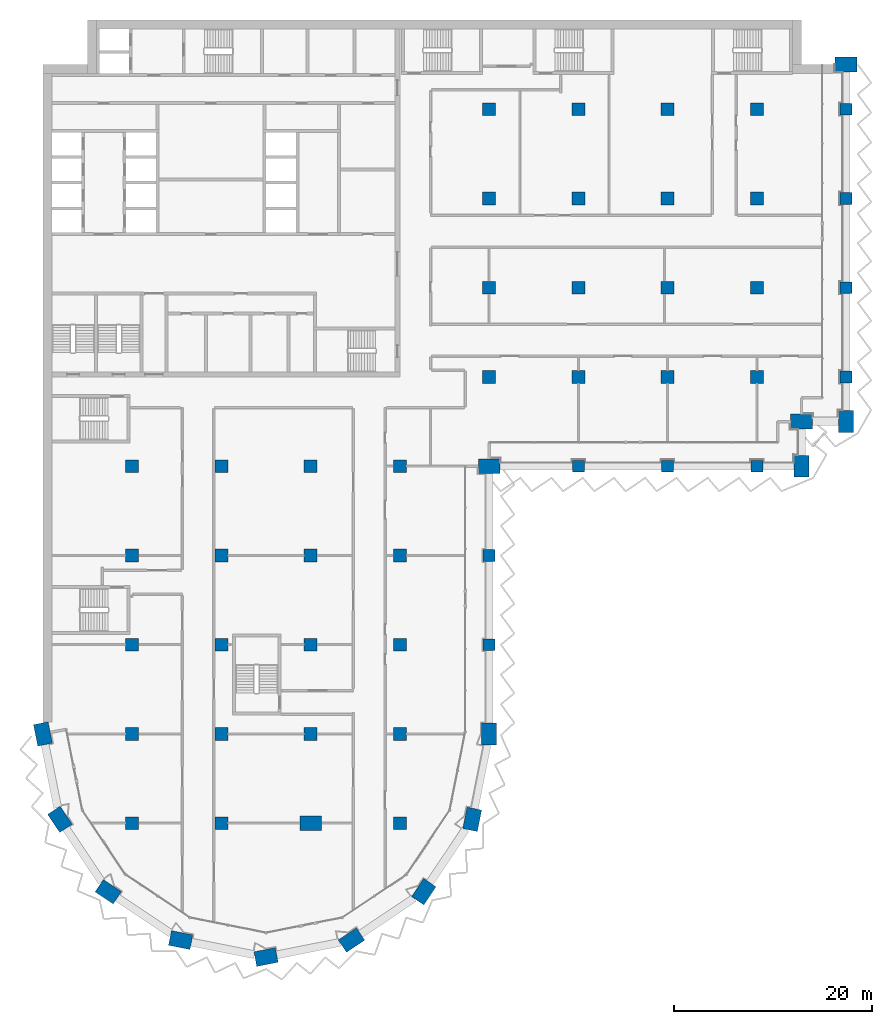
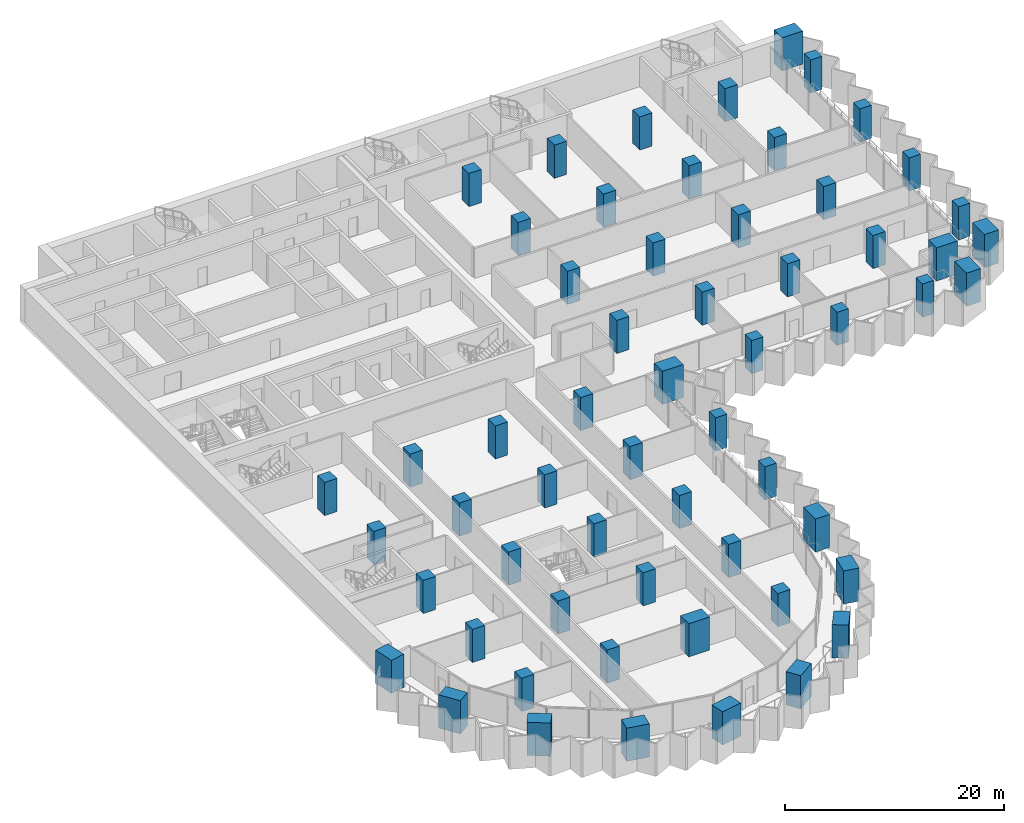
# One storey, part 1 of 23: 59 columns.
"""IFC4 building model written with IfcOpenShell, lengths in metres."""

from ifc_helpers import new_model, si_unit, direction, frame, origin, origin_2d, place, context, subcontext, project, spatial, rectangle, extrude, material, material_profile, profile_set, type_object, element, save


model = new_model("IFC4")

# Units and contexts
model_context = context("Model", 3, precision=1e-05, world=origin(), true_north=direction((0.0, 1.0)))
body_context = subcontext(model_context, "Body", "Model", "MODEL_VIEW")
ifc_project = project(units=[si_unit("LENGTHUNIT", "METRE"), si_unit("AREAUNIT", "SQUARE_METRE"), si_unit("VOLUMEUNIT", "CUBIC_METRE"), si_unit("PLANEANGLEUNIT", "RADIAN"), si_unit("MASSUNIT", "GRAM", prefix="KILO")], contexts=[model_context])

# Site, building, storey
site_placement = place(None, origin())
site = spatial("IfcSite", under=ifc_project, at=site_placement, CompositionType="ELEMENT")
building_placement = place(site_placement, origin())
building = spatial("IfcBuilding", under=site, at=building_placement, Name="Hunhe Ridgeline Campus", CompositionType="ELEMENT")
storey_placement = place(building_placement, frame((0.0, 0.0, 107.0)))
storey = spatial("IfcBuildingStorey", under=building, at=storey_placement, Name="L26", CompositionType="ELEMENT", Elevation=107.0)

# Columns
ifc_material = material(Name="Concrete C70", Category="concrete")
ifc_material_profile_1 = material_profile(ifc_material, rectangle(XDim=2.199951171875, YDim=1.5, at=origin_2d()))
ifc_profile_set_1 = profile_set([ifc_material_profile_1], Name="Concrete C70")
column_type_1 = type_object("IfcColumnType", Name="Megacolumn 2200x1500 Concrete C70", PredefinedType="COLUMN", material=ifc_profile_set_1)
for number, where, z_axis, x_axis, name in (
    (1, (22.5, 4.5, 0.0), (0.0, 0.0, 1.0), (0.980785280403, 0.195090322016, 0.0), "Column C6 R1 L26"),
    (2, (13.8896484375, 6.212646484375, 0.0), (0.0, 0.0, 1.0), (-0.980785280403, 0.195090322016, 0.0), "Column C6 R2 L26"),
    (3, (31.1103515625, 6.212646484375, 0.0), (0.0, 0.0, 1.0), (0.831469612303, 0.55557023302, 0.0), "Column C6 R3 L26"),
    (4, (6.590087890625, 11.090087890625, 0.0), (0.0, 0.0, 1.0), (-0.831469612303, 0.55557023302, 0.0), "Column C6 R4 L26"),
    (5, (38.409912109375, 11.090087890625, 0.0), (0.0, 0.0, 1.0), (0.55557023302, 0.831469612303, 0.0), "Column C6 R5 L26"),
    (6, (1.712646484375, 18.3896484375, 0.0), (0.0, 0.0, 1.0), (-0.55557023302, 0.831469612303, 0.0), "Column C6 R9 L26"),
    (7, (43.287353515625, 18.3896484375, 0.0), (0.0, 0.0, 1.0), (0.195090322016, 0.980785280403, 0.0), "Column C6 R10 L26"),
    (8, (0.0, 27.0, 0.0), (0.0, 0.0, 1.0), (-0.195090322016, 0.980785280403, 0.0), "Column C6 D1 L26"),
    (9, (45.0, 27.0, 0.0), (0.0, 0.0, 1.0), (0.0, 1.0, 0.0), "Column C6 D6 L26"),
    (10, (45.0, 54.0, 0.0), (0.0, 0.0, 1.0), (1.0, 0.0, 0.0), "Column C6 G6 L26"),
    (11, (76.5, 54.0, 0.0), (0.0, 0.0, 1.0), (0.0, 1.0, 0.0), "Column C6 R31 L26"),
    (12, (76.5, 58.5, 0.0), (0.0, 0.0, 1.0), (1.0, 0.0, 0.0), "Column C6 R37 L26"),
    (13, (81.0, 58.5, 0.0), (0.0, 0.0, 1.0), (0.0, 1.0, 0.0), "Column C6 R38 L26"),
    (14, (81.0, 94.5, 0.0), (0.0, 0.0, 1.0), (1.0, 0.0, 0.0), "Column C6 R43 L26"),
    (15, (27.0, 18.0, 0.0), (0.0, 0.0, 1.0), (1.0, 0.0, 0.0), "Column C6 C4 L26"),
):
    element("IfcColumn", number, at=place(storey_placement, frame(where, z_axis=z_axis, x_axis=x_axis)), inside=storey, type_object=column_type_1, Name=name, PredefinedType="COLUMN", context=body_context, shape_type="SweptSolid", body=[
        extrude(rectangle(XDim=2.199951171875, YDim=1.5, at=origin_2d()), origin(), (0.0, 0.0, 1.0), 3.699951171875),
    ])
ifc_material_profile_2 = material_profile(ifc_material, rectangle(XDim=1.199951171875, YDim=1.199951171875, at=origin_2d()))
ifc_profile_set_2 = profile_set([ifc_material_profile_2], Name="Concrete C70")
column_type_2 = type_object("IfcColumnType", Name="RC column 1200x1200 Concrete C70", PredefinedType="COLUMN", material=ifc_profile_set_2)
for number, where, z_axis, x_axis, name in (
    (16, (45.0, 36.0, 0.0), (0.0, 0.0, 1.0), (1.0, 0.0, 0.0), "Column C7 E6 L26"),
    (17, (45.0, 45.0, 0.0), (0.0, 0.0, 1.0), (1.0, 0.0, 0.0), "Column C7 F6 L26"),
    (18, (54.0, 54.0, 0.0), (0.0, 0.0, 1.0), (1.0, 0.0, 0.0), "Column C7 G7 L26"),
    (19, (63.0, 54.0, 0.0), (0.0, 0.0, 1.0), (1.0, 0.0, 0.0), "Column C7 G8 L26"),
    (20, (72.0, 54.0, 0.0), (0.0, 0.0, 1.0), (1.0, 0.0, 0.0), "Column C7 G9 L26"),
    (21, (81.0, 63.0, 0.0), (0.0, 0.0, 1.0), (1.0, 0.0, 0.0), "Column C7 H10 L26"),
    (22, (81.0, 72.0, 0.0), (0.0, 0.0, 1.0), (1.0, 0.0, 0.0), "Column C7 I10 L26"),
    (23, (81.0, 81.0, 0.0), (0.0, 0.0, 1.0), (1.0, 0.0, 0.0), "Column C7 J10 L26"),
    (24, (81.0, 90.0, 0.0), (0.0, 0.0, 1.0), (1.0, 0.0, 0.0), "Column C7 K10 L26"),
):
    element("IfcColumn", number, at=place(storey_placement, frame(where, z_axis=z_axis, x_axis=x_axis)), inside=storey, type_object=column_type_2, Name=name, PredefinedType="COLUMN", context=body_context, shape_type="SweptSolid", body=[
        extrude(rectangle(XDim=1.199951171875, YDim=1.199951171875, at=origin_2d()), origin(), (0.0, 0.0, 1.0), 3.699951171875),
    ])
ifc_material_profile_3 = material_profile(ifc_material, rectangle(XDim=1.300048828125, YDim=1.300048828125, at=origin_2d()))
ifc_profile_set_3 = profile_set([ifc_material_profile_3], Name="Concrete C70")
column_type_3 = type_object("IfcColumnType", Name="RC column 1300x1300 Concrete C70", PredefinedType="COLUMN", material=ifc_profile_set_3)
for number, where, z_axis, x_axis, name in (
    (25, (9.0, 18.0, 0.0), (0.0, 0.0, 1.0), (1.0, 0.0, 0.0), "Column C8 C2 L26"),
    (26, (9.0, 27.0, 0.0), (0.0, 0.0, 1.0), (1.0, 0.0, 0.0), "Column C8 D2 L26"),
    (27, (9.0, 36.0, 0.0), (0.0, 0.0, 1.0), (1.0, 0.0, 0.0), "Column C8 E2 L26"),
    (28, (9.0, 45.0, 0.0), (0.0, 0.0, 1.0), (1.0, 0.0, 0.0), "Column C8 F2 L26"),
    (29, (9.0, 54.0, 0.0), (0.0, 0.0, 1.0), (1.0, 0.0, 0.0), "Column C8 G2 L26"),
    (30, (18.0, 18.0, 0.0), (0.0, 0.0, 1.0), (1.0, 0.0, 0.0), "Column C8 C3 L26"),
    (31, (18.0, 27.0, 0.0), (0.0, 0.0, 1.0), (1.0, 0.0, 0.0), "Column C8 D3 L26"),
    (32, (18.0, 36.0, 0.0), (0.0, 0.0, 1.0), (1.0, 0.0, 0.0), "Column C8 E3 L26"),
    (33, (18.0, 45.0, 0.0), (0.0, 0.0, 1.0), (1.0, 0.0, 0.0), "Column C8 F3 L26"),
    (34, (18.0, 54.0, 0.0), (0.0, 0.0, 1.0), (1.0, 0.0, 0.0), "Column C8 G3 L26"),
    (35, (27.0, 27.0, 0.0), (0.0, 0.0, 1.0), (1.0, 0.0, 0.0), "Column C8 D4 L26"),
    (36, (27.0, 36.0, 0.0), (0.0, 0.0, 1.0), (1.0, 0.0, 0.0), "Column C8 E4 L26"),
    (37, (27.0, 45.0, 0.0), (0.0, 0.0, 1.0), (1.0, 0.0, 0.0), "Column C8 F4 L26"),
    (38, (27.0, 54.0, 0.0), (0.0, 0.0, 1.0), (1.0, 0.0, 0.0), "Column C8 G4 L26"),
    (39, (36.0, 18.0, 0.0), (0.0, 0.0, 1.0), (1.0, 0.0, 0.0), "Column C8 C5 L26"),
    (40, (36.0, 27.0, 0.0), (0.0, 0.0, 1.0), (1.0, 0.0, 0.0), "Column C8 D5 L26"),
    (41, (36.0, 36.0, 0.0), (0.0, 0.0, 1.0), (1.0, 0.0, 0.0), "Column C8 E5 L26"),
    (42, (36.0, 45.0, 0.0), (0.0, 0.0, 1.0), (1.0, 0.0, 0.0), "Column C8 F5 L26"),
    (43, (36.0, 54.0, 0.0), (0.0, 0.0, 1.0), (1.0, 0.0, 0.0), "Column C8 G5 L26"),
    (44, (45.0, 63.0, 0.0), (0.0, 0.0, 1.0), (1.0, 0.0, 0.0), "Column C8 H6 L26"),
    (45, (45.0, 72.0, 0.0), (0.0, 0.0, 1.0), (1.0, 0.0, 0.0), "Column C8 I6 L26"),
    (46, (45.0, 81.0, 0.0), (0.0, 0.0, 1.0), (1.0, 0.0, 0.0), "Column C8 J6 L26"),
    (47, (45.0, 90.0, 0.0), (0.0, 0.0, 1.0), (1.0, 0.0, 0.0), "Column C8 K6 L26"),
    (48, (54.0, 63.0, 0.0), (0.0, 0.0, 1.0), (1.0, 0.0, 0.0), "Column C8 H7 L26"),
    (49, (54.0, 72.0, 0.0), (0.0, 0.0, 1.0), (1.0, 0.0, 0.0), "Column C8 I7 L26"),
    (50, (54.0, 81.0, 0.0), (0.0, 0.0, 1.0), (1.0, 0.0, 0.0), "Column C8 J7 L26"),
    (51, (54.0, 90.0, 0.0), (0.0, 0.0, 1.0), (1.0, 0.0, 0.0), "Column C8 K7 L26"),
    (52, (63.0, 63.0, 0.0), (0.0, 0.0, 1.0), (1.0, 0.0, 0.0), "Column C8 H8 L26"),
    (53, (63.0, 72.0, 0.0), (0.0, 0.0, 1.0), (1.0, 0.0, 0.0), "Column C8 I8 L26"),
    (54, (63.0, 81.0, 0.0), (0.0, 0.0, 1.0), (1.0, 0.0, 0.0), "Column C8 J8 L26"),
    (55, (63.0, 90.0, 0.0), (0.0, 0.0, 1.0), (1.0, 0.0, 0.0), "Column C8 K8 L26"),
    (56, (72.0, 63.0, 0.0), (0.0, 0.0, 1.0), (1.0, 0.0, 0.0), "Column C8 H9 L26"),
    (57, (72.0, 72.0, 0.0), (0.0, 0.0, 1.0), (1.0, 0.0, 0.0), "Column C8 I9 L26"),
    (58, (72.0, 81.0, 0.0), (0.0, 0.0, 1.0), (1.0, 0.0, 0.0), "Column C8 J9 L26"),
    (59, (72.0, 90.0, 0.0), (0.0, 0.0, 1.0), (1.0, 0.0, 0.0), "Column C8 K9 L26"),
):
    element("IfcColumn", number, at=place(storey_placement, frame(where, z_axis=z_axis, x_axis=x_axis)), inside=storey, type_object=column_type_3, Name=name, PredefinedType="COLUMN", context=body_context, shape_type="SweptSolid", body=[
        extrude(rectangle(XDim=1.300048828125, YDim=1.300048828125, at=origin_2d()), origin(), (0.0, 0.0, 1.0), 3.699951171875),
    ])

save(model, "model.ifc")
